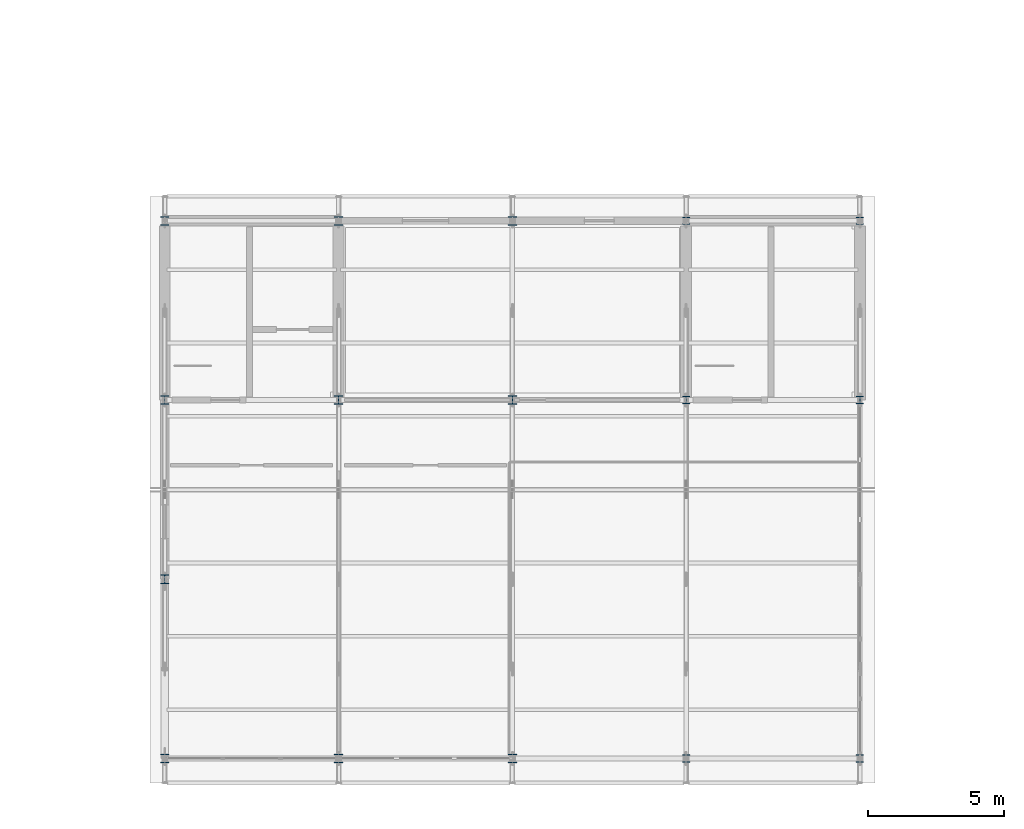
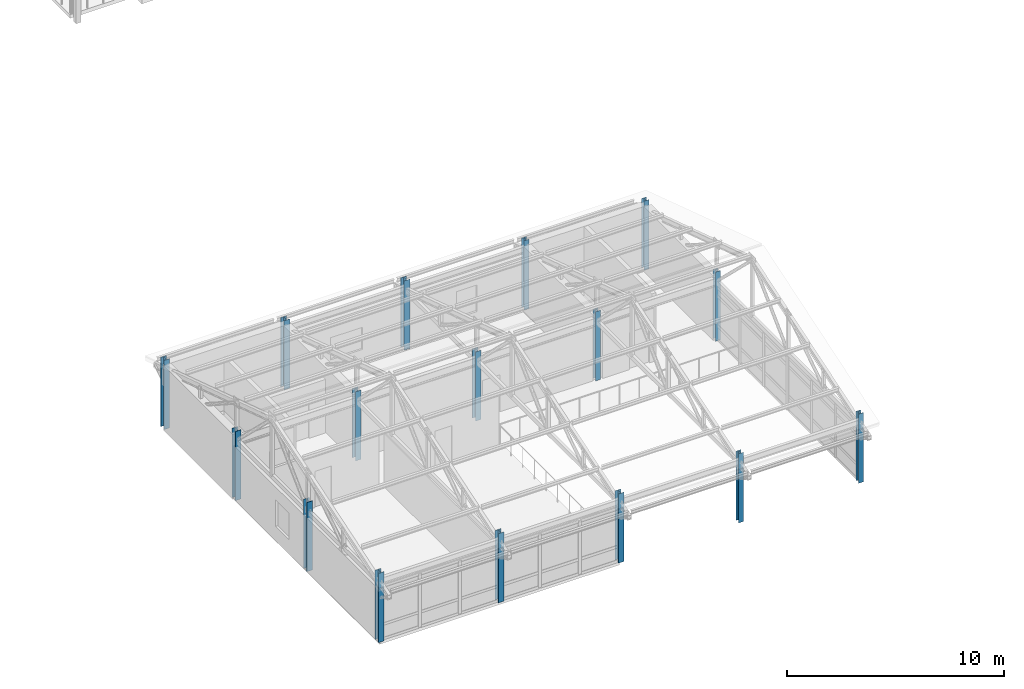
# One storey, part 1 of 57: 16 columns.
"""IFC4 building model written with IfcOpenShell, lengths in metres."""

from ifc_helpers import new_model, si_unit, direction, frame, origin, origin_2d, place, context, subcontext, project, spatial, i_section, extrude, material, material_profile, profile_set, type_object, element, save


model = new_model("IFC4")

# Units and contexts
model_context = context("Model", 3, precision=1e-05, world=origin(), true_north=direction((0.0, 1.0)))
body_context = subcontext(model_context, "Body", "Model", "MODEL_VIEW")
ifc_project = project(units=[si_unit("LENGTHUNIT", "METRE"), si_unit("AREAUNIT", "SQUARE_METRE"), si_unit("VOLUMEUNIT", "CUBIC_METRE"), si_unit("PLANEANGLEUNIT", "RADIAN"), si_unit("MASSUNIT", "GRAM", prefix="KILO")], contexts=[model_context])

# Site, building, storey
site_placement = place(None, origin())
site = spatial("IfcSite", under=ifc_project, at=site_placement, CompositionType="ELEMENT")
building_placement = place(site_placement, origin())
building = spatial("IfcBuilding", under=site, at=building_placement, Name="Trelmorton Wharf Fire Station", CompositionType="ELEMENT")
storey_placement = place(building_placement, frame((0.0, 0.0, 13.5)))
storey = spatial("IfcBuildingStorey", under=building, at=storey_placement, Name="L03", CompositionType="ELEMENT", Elevation=13.5)

# Columns
ifc_material = material(Name="Steel Grade 350", Category="steel")
ifc_material_profile_1 = material_profile(ifc_material, i_section(OverallWidth=0.256103515625, OverallDepth=0.260009765625, WebThickness=0.010498046875, FlangeThickness=0.017333984375, FilletRadius=0.0126953125, at=origin_2d()), Name="250UC89.5")
ifc_profile_set_1 = profile_set([ifc_material_profile_1], Name="Steel Grade 350")
column_type_1 = type_object("IfcColumnType", Name="COL_250UC89", PredefinedType="COLUMN", material=ifc_profile_set_1)
for number, where, z_axis, x_axis, name in (
    (1, (77.199951171875, 7.800048828125, 0.0), (0.0, 0.0, 1.0), (1.0, 0.0, 0.0), "COL-L03-0599"),
    (2, (77.199951171875, 21.0, 0.0), (0.0, 0.0, 1.0), (1.0, 0.0, 0.0), "COL-L03-0600"),
    (3, (77.199951171875, 27.60009765625, 0.0), (0.0, 0.0, 1.0), (1.0, 0.0, 0.0), "COL-L03-0601"),
    (4, (83.60009765625, 7.800048828125, 0.0), (0.0, 0.0, 1.0), (1.0, 0.0, 0.0), "COL-L03-0607"),
    (5, (83.60009765625, 21.0, 0.0), (0.0, 0.0, 1.0), (1.0, 0.0, 0.0), "COL-L03-0608"),
    (6, (83.60009765625, 27.60009765625, 0.0), (0.0, 0.0, 1.0), (1.0, 0.0, 0.0), "COL-L03-0609"),
):
    element("IfcColumn", number, at=place(storey_placement, frame(where, z_axis=z_axis, x_axis=x_axis)), inside=storey, type_object=column_type_1, Name=name, PredefinedType="COLUMN", context=body_context, shape_type="SweptSolid", body=[
        extrude(i_section(OverallWidth=0.256103515625, OverallDepth=0.260009765625, WebThickness=0.010498046875, FlangeThickness=0.017333984375, FilletRadius=0.0126953125, at=origin_2d()), origin(), (0.0, 0.0, 1.0), 3.89990234375),
    ])
ifc_material_profile_2 = material_profile(ifc_material, i_section(OverallWidth=0.306884765625, OverallDepth=0.31494140625, WebThickness=0.011962890625, FlangeThickness=0.018798828125, FilletRadius=0.0166015625, at=origin_2d()), Name="310UC118")
ifc_profile_set_2 = profile_set([ifc_material_profile_2], Name="Steel Grade 350")
column_type_2 = type_object("IfcColumnType", Name="COL_310UC118", PredefinedType="COLUMN", material=ifc_profile_set_2)
for number, where, z_axis, x_axis, name in (
    (7, (58.0, 7.800048828125, 0.0), (0.0, 0.0, 1.0), (1.0, 0.0, 0.0), "COL-L03-0584"),
    (8, (58.0, 14.39990234375, 0.0), (0.0, 0.0, 1.0), (1.0, 0.0, 0.0), "COL-L03-0585"),
    (9, (58.0, 21.0, 0.0), (0.0, 0.0, 1.0), (1.0, 0.0, 0.0), "COL-L03-0586"),
    (10, (58.0, 27.60009765625, 0.0), (0.0, 0.0, 1.0), (1.0, 0.0, 0.0), "COL-L03-0587"),
    (11, (64.39990234375, 7.800048828125, 0.0), (0.0, 0.0, 1.0), (1.0, 0.0, 0.0), "COL-L03-0588"),
    (12, (64.39990234375, 21.0, 0.0), (0.0, 0.0, 1.0), (1.0, 0.0, 0.0), "COL-L03-0589"),
    (13, (64.39990234375, 27.60009765625, 0.0), (0.0, 0.0, 1.0), (1.0, 0.0, 0.0), "COL-L03-0590"),
    (14, (70.800048828125, 7.800048828125, 0.0), (0.0, 0.0, 1.0), (1.0, 0.0, 0.0), "COL-L03-0591"),
    (15, (70.800048828125, 21.0, 0.0), (0.0, 0.0, 1.0), (1.0, 0.0, 0.0), "COL-L03-0592"),
    (16, (70.800048828125, 27.60009765625, 0.0), (0.0, 0.0, 1.0), (1.0, 0.0, 0.0), "COL-L03-0593"),
):
    element("IfcColumn", number, at=place(storey_placement, frame(where, z_axis=z_axis, x_axis=x_axis)), inside=storey, type_object=column_type_2, Name=name, PredefinedType="COLUMN", context=body_context, shape_type="SweptSolid", body=[
        extrude(i_section(OverallWidth=0.306884765625, OverallDepth=0.31494140625, WebThickness=0.011962890625, FlangeThickness=0.018798828125, FilletRadius=0.0166015625, at=origin_2d()), origin(), (0.0, 0.0, 1.0), 3.89990234375),
    ])

save(model, "model.ifc")
